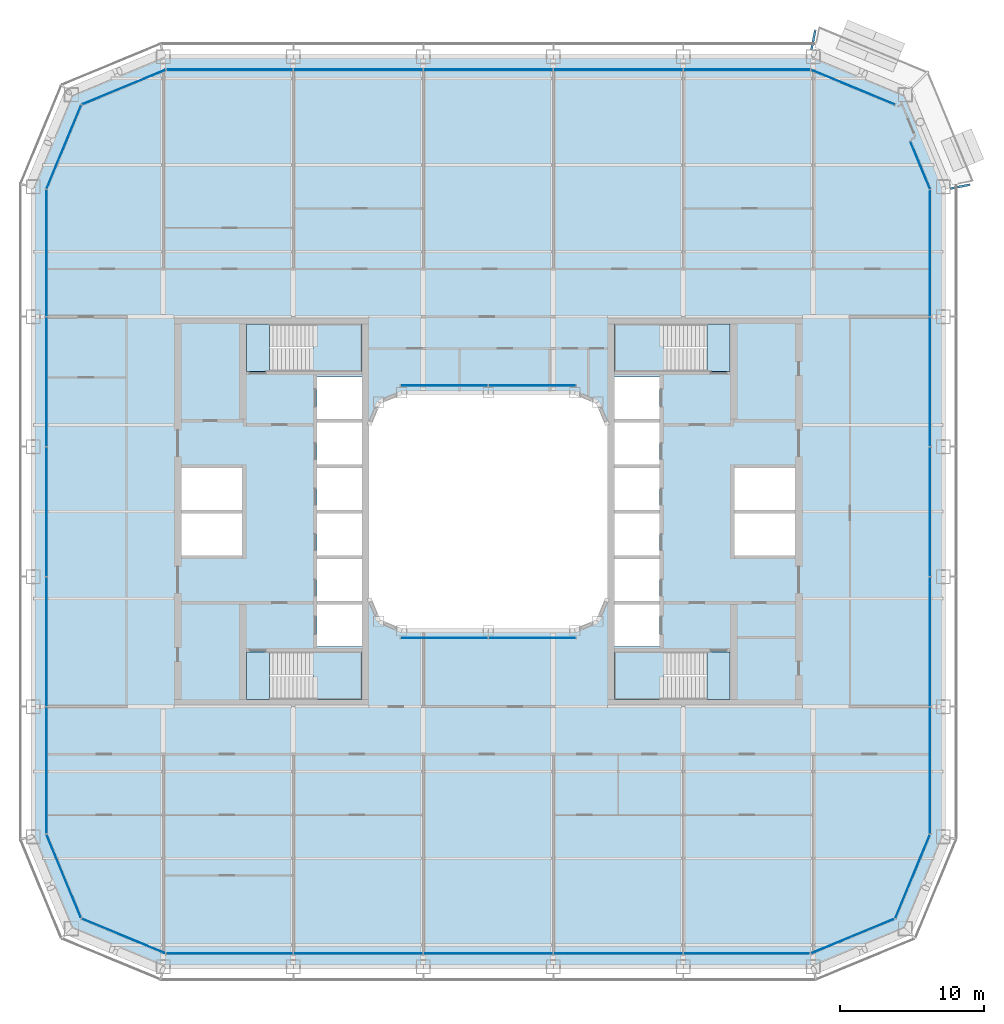
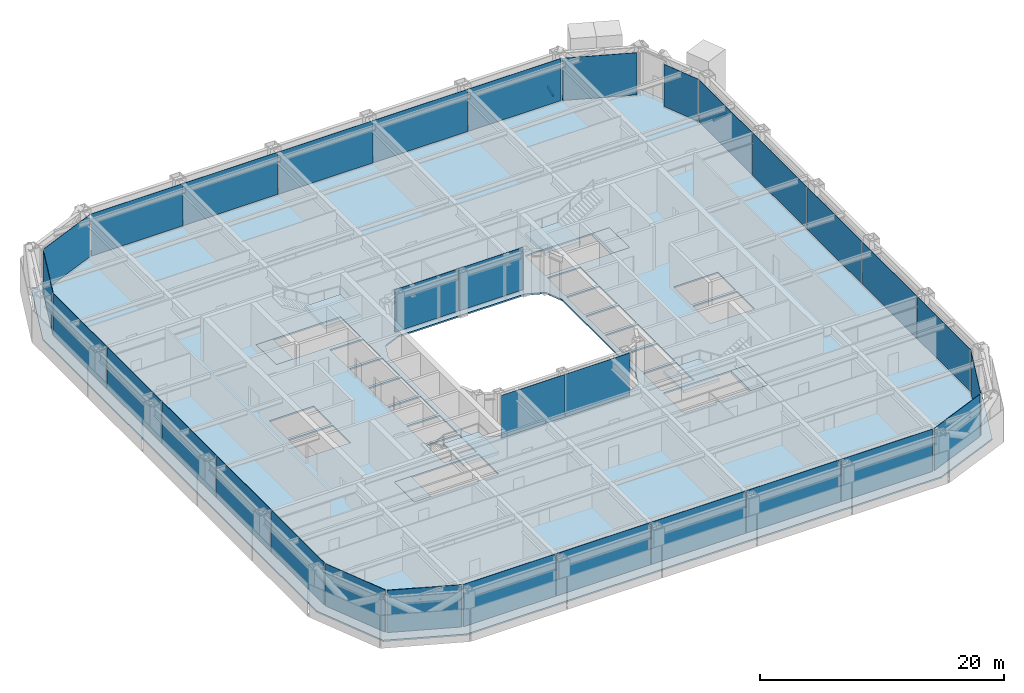
# One storey, part 11 of 30: 32 plates, 9 slabs, 2 beams, 18 elements without a shape of their own.
"""IFC4 building model written with IfcOpenShell, lengths in metres."""

from ifc_helpers import new_model, si_unit, direction, frame, origin, origin_2d, place, context, subcontext, project, spatial, polyline, rectangle, hollow_rectangle, outline, extrude, material, layer, layer_set, material_profile, profile_set, type_object, element, aggregate, save


model = new_model("IFC4")

# Units and contexts
model_context = context("Model", 3, precision=1e-05, world=origin(), true_north=direction((0.0, 1.0)))
body_context = subcontext(model_context, "Body", "Model", "MODEL_VIEW")
ifc_project = project(units=[si_unit("LENGTHUNIT", "METRE"), si_unit("AREAUNIT", "SQUARE_METRE"), si_unit("VOLUMEUNIT", "CUBIC_METRE"), si_unit("PLANEANGLEUNIT", "RADIAN"), si_unit("MASSUNIT", "GRAM", prefix="KILO")], contexts=[model_context])

# Site, building, storey
site_placement = place(None, origin())
site = spatial("IfcSite", under=ifc_project, at=site_placement, CompositionType="ELEMENT")
building_placement = place(site_placement, origin())
building = spatial("IfcBuilding", under=site, at=building_placement, Name="Siwar Civic Tower", CompositionType="ELEMENT")
storey_placement = place(building_placement, frame((0.0, 0.0, 80.699951171875)))
storey = spatial("IfcBuildingStorey", under=building, at=storey_placement, Name="L17", CompositionType="ELEMENT", Elevation=80.699951171875)

# Beams
ifc_material_1 = material(Name="Steel S355", Category="steel")
ifc_material_profile = material_profile(ifc_material_1, hollow_rectangle(XDim=0.14990234375, YDim=0.25, WallThickness=0.010009765625, at=origin_2d()), Name="RHS250x150x10")
ifc_profile_set = profile_set([ifc_material_profile], Name="Steel S355")
beam_type = type_object("IfcBeamType", Name="ENV-BALCONY ARM", PredefinedType="BEAM", material=ifc_profile_set)
for number, where, z_axis, x_axis, name in (
    (1, (32.0, 22.375244140625, -0.27490234375), (0.980807679798, 0.194977678848, 0.0), (-0.194977678848, 0.980807679798, 0.0), "Balcony cantilever beam NE 1"),
    (2, (22.375244140625, 32.0, -0.27490234375), (0.194977678848, 0.980807679798, 0.0), (-0.980807679798, 0.194977678848, 0.0), "Balcony cantilever beam NE 3"),
):
    element("IfcBeam", number, at=place(storey_placement, frame(where, z_axis=z_axis, x_axis=x_axis)), inside=storey, type_object=beam_type, Name=name, PredefinedType="BEAM", context=body_context, shape_type="SweptSolid", body=[
        extrude(hollow_rectangle(XDim=0.14990234375, YDim=0.25, WallThickness=0.010009765625, at=origin_2d()), origin(), (0.0, 0.0, 1.0), 1.361083984375),
    ])

# Stair, slabs
ifc_material_2 = material(Name="Concrete C40/50", Category="concrete")
stair_type = type_object("IfcStairType", Name="CORE-STAIR", PredefinedType="TWO_STRAIGHT_RUN_STAIR", material=ifc_material_2)
stair_1_placement = place(storey_placement, origin())
stair_1 = element("IfcStair", 3, at=stair_1_placement, inside=storey, type_object=stair_type, Name="Exit stair ST1", PredefinedType="TWO_STRAIGHT_RUN_STAIR")
ifc_material_3 = material(Name="Concrete C40/50", Category="concrete")
ifc_layer_1 = layer(ifc_material_3, 0.300048828125)
ifc_layer_set_1 = layer_set([ifc_layer_1], Name="Concrete C40/50")
slab_type_1 = type_object("IfcSlabType", Name="CORE-STAIR-LANDING", PredefinedType="LANDING", material=ifc_layer_set_1)
slab_1_placement = place(storey_placement, frame((0.0, 0.0, -0.300048828125)))
slab_1 = element("IfcSlab", 4, at=slab_1_placement, type_object=slab_type_1, Name="ST1 landing 1", PredefinedType="LANDING", context=body_context, shape_type="SweptSolid", body=[
    extrude(outline(polyline([(-15.14990234375, 13.0), (-16.75, 13.0), (-16.75, 9.699951171875), (-15.14990234375, 9.699951171875), (-15.14990234375, 13.0)])), origin(), (0.0, 0.0, 1.0), 0.300048828125),
])
slab_2_placement = place(storey_placement, frame((0.0, 0.0, 1.949951171875)))
slab_2 = element("IfcSlab", 5, at=slab_2_placement, type_object=slab_type_1, Name="ST1 landing 2", PredefinedType="LANDING", context=body_context, shape_type="SweptSolid", body=[
    extrude(outline(polyline([(-8.75, 13.0), (-12.139892578125, 13.0), (-12.139892578125, 9.699951171875), (-8.75, 9.699951171875), (-8.75, 13.0)])), origin(), (0.0, 0.0, 1.0), 0.300048828125),
])
aggregate(stair_1, [slab_1, slab_2])

stair_2_placement = place(storey_placement, origin())
stair_2 = element("IfcStair", 6, at=stair_2_placement, inside=storey, type_object=stair_type, Name="Exit stair ST2", PredefinedType="TWO_STRAIGHT_RUN_STAIR")
slab_3_placement = place(storey_placement, frame((0.0, 0.0, -0.300048828125)))
slab_3 = element("IfcSlab", 7, at=slab_3_placement, type_object=slab_type_1, Name="ST2 landing 1", PredefinedType="LANDING", context=body_context, shape_type="SweptSolid", body=[
    extrude(outline(polyline([(-15.14990234375, -9.699951171875), (-16.75, -9.699951171875), (-16.75, -13.0), (-15.14990234375, -13.0), (-15.14990234375, -9.699951171875)])), origin(), (0.0, 0.0, 1.0), 0.300048828125),
])
slab_4_placement = place(storey_placement, frame((0.0, 0.0, 1.949951171875)))
slab_4 = element("IfcSlab", 8, at=slab_4_placement, type_object=slab_type_1, Name="ST2 landing 2", PredefinedType="LANDING", context=body_context, shape_type="SweptSolid", body=[
    extrude(outline(polyline([(-8.75, -9.699951171875), (-12.139892578125, -9.699951171875), (-12.139892578125, -13.0), (-8.75, -13.0), (-8.75, -9.699951171875)])), origin(), (0.0, 0.0, 1.0), 0.300048828125),
])
aggregate(stair_2, [slab_3, slab_4])

stair_3_placement = place(storey_placement, origin())
stair_3 = element("IfcStair", 9, at=stair_3_placement, inside=storey, type_object=stair_type, Name="Exit stair ST3", PredefinedType="TWO_STRAIGHT_RUN_STAIR")
slab_5_placement = place(storey_placement, frame((0.0, 0.0, -0.300048828125)))
slab_5 = element("IfcSlab", 10, at=slab_5_placement, type_object=slab_type_1, Name="ST3 landing 1", PredefinedType="LANDING", context=body_context, shape_type="SweptSolid", body=[
    extrude(outline(polyline([(15.14990234375, 9.699951171875), (16.75, 9.699951171875), (16.75, 13.0), (15.14990234375, 13.0), (15.14990234375, 9.699951171875)])), origin(), (0.0, 0.0, 1.0), 0.300048828125),
])
slab_6_placement = place(storey_placement, frame((0.0, 0.0, 1.949951171875)))
slab_6 = element("IfcSlab", 11, at=slab_6_placement, type_object=slab_type_1, Name="ST3 landing 2", PredefinedType="LANDING", context=body_context, shape_type="SweptSolid", body=[
    extrude(outline(polyline([(8.75, 9.699951171875), (12.139892578125, 9.699951171875), (12.139892578125, 13.0), (8.75, 13.0), (8.75, 9.699951171875)])), origin(), (0.0, 0.0, 1.0), 0.300048828125),
])
aggregate(stair_3, [slab_5, slab_6])

stair_4_placement = place(storey_placement, origin())
stair_4 = element("IfcStair", 12, at=stair_4_placement, inside=storey, type_object=stair_type, Name="Exit stair ST4", PredefinedType="TWO_STRAIGHT_RUN_STAIR")
slab_7_placement = place(storey_placement, frame((0.0, 0.0, -0.300048828125)))
slab_7 = element("IfcSlab", 13, at=slab_7_placement, type_object=slab_type_1, Name="ST4 landing 1", PredefinedType="LANDING", context=body_context, shape_type="SweptSolid", body=[
    extrude(outline(polyline([(15.14990234375, -13.0), (16.75, -13.0), (16.75, -9.699951171875), (15.14990234375, -9.699951171875), (15.14990234375, -13.0)])), origin(), (0.0, 0.0, 1.0), 0.300048828125),
])
slab_8_placement = place(storey_placement, frame((0.0, 0.0, 1.949951171875)))
slab_8 = element("IfcSlab", 14, at=slab_8_placement, type_object=slab_type_1, Name="ST4 landing 2", PredefinedType="LANDING", context=body_context, shape_type="SweptSolid", body=[
    extrude(outline(polyline([(8.75, -13.0), (12.139892578125, -13.0), (12.139892578125, -9.699951171875), (8.75, -9.699951171875), (8.75, -13.0)])), origin(), (0.0, 0.0, 1.0), 0.300048828125),
])
aggregate(stair_4, [slab_7, slab_8])

# Curtain wall, plates
ifc_material_4 = material(Name="Aluminium and glass", Category="aluminium")
ifc_layer_2 = layer(ifc_material_4, 0.219970703125)
ifc_layer_set_2 = layer_set([ifc_layer_2], Name="Aluminium and glass")
curtain_wall_type_1 = type_object("IfcCurtainWallType", Name="ENV-CW-A", PredefinedType="NOTDEFINED", material=ifc_layer_set_2)
curtain_wall_1_placement = place(storey_placement, origin())
curtain_wall_1 = element("IfcCurtainWall", 15, at=curtain_wall_1_placement, inside=storey, type_object=curtain_wall_type_1, Name="Curtain wall A S", PredefinedType="NOTDEFINED")
ifc_material_5 = material(Name="Glass clear laminated", Category="glass")
ifc_layer_3 = layer(ifc_material_5, 0.035888671875)
ifc_layer_set_3 = layer_set([ifc_layer_3], Name="Glass clear laminated")
plate_type_1 = type_object("IfcPlateType", Name="ENV-PANEL-A", PredefinedType="CURTAIN_PANEL", material=ifc_layer_set_3)
plate_1_placement = place(storey_placement, frame((-17.910400390625, -30.60009765625, 0.1201171875), z_axis=(0.0, 0.0, 1.0), x_axis=(1.0, 0.0, 0.0)))
plate_1 = element("IfcPlate", 16, at=plate_1_placement, type_object=plate_type_1, Name="Curtain panel A S 1", PredefinedType="CURTAIN_PANEL", context=body_context, shape_type="SweptSolid", body=[
    extrude(rectangle(XDim=8.7509765625, YDim=0.035888671875, at=origin_2d()), origin(), (0.0, 0.0, 1.0), 4.22998046875),
])
plate_2_placement = place(storey_placement, frame((-9.0, -30.60009765625, 0.1201171875), z_axis=(0.0, 0.0, 1.0), x_axis=(1.0, 0.0, 0.0)))
plate_2 = element("IfcPlate", 17, at=plate_2_placement, type_object=plate_type_1, Name="Curtain panel A S 2", PredefinedType="CURTAIN_PANEL", context=body_context, shape_type="SweptSolid", body=[
    extrude(rectangle(XDim=8.929931640625, YDim=0.035888671875, at=origin_2d()), origin(), (0.0, 0.0, 1.0), 4.22998046875),
])
plate_3_placement = place(storey_placement, frame((0.0, -30.60009765625, 0.1201171875), z_axis=(0.0, 0.0, 1.0), x_axis=(1.0, 0.0, 0.0)))
plate_3 = element("IfcPlate", 18, at=plate_3_placement, type_object=plate_type_1, Name="Curtain panel A S 3", PredefinedType="CURTAIN_PANEL", context=body_context, shape_type="SweptSolid", body=[
    extrude(rectangle(XDim=8.929931640625, YDim=0.035888671875, at=origin_2d()), origin(), (0.0, 0.0, 1.0), 4.22998046875),
])
plate_4_placement = place(storey_placement, frame((9.0, -30.60009765625, 0.1201171875), z_axis=(0.0, 0.0, 1.0), x_axis=(1.0, 0.0, 0.0)))
plate_4 = element("IfcPlate", 19, at=plate_4_placement, type_object=plate_type_1, Name="Curtain panel A S 4", PredefinedType="CURTAIN_PANEL", context=body_context, shape_type="SweptSolid", body=[
    extrude(rectangle(XDim=8.929931640625, YDim=0.035888671875, at=origin_2d()), origin(), (0.0, 0.0, 1.0), 4.22998046875),
])
plate_5_placement = place(storey_placement, frame((17.86669921875, -30.60009765625, 0.1201171875), z_axis=(0.0, 0.0, 1.0), x_axis=(1.0, 0.0, 0.0)))
plate_5 = element("IfcPlate", 20, at=plate_5_placement, type_object=plate_type_1, Name="Curtain panel A S 5", PredefinedType="CURTAIN_PANEL", context=body_context, shape_type="SweptSolid", body=[
    extrude(rectangle(XDim=8.663330078125, YDim=0.035888671875, at=origin_2d()), origin(), (0.0, 0.0, 1.0), 4.22998046875),
])
aggregate(curtain_wall_1, [plate_1, plate_2, plate_3, plate_4, plate_5])

curtain_wall_2_placement = place(storey_placement, origin())
curtain_wall_2 = element("IfcCurtainWall", 21, at=curtain_wall_2_placement, inside=storey, type_object=curtain_wall_type_1, Name="Curtain wall A E", PredefinedType="NOTDEFINED")
plate_6_placement = place(storey_placement, frame((30.60009765625, -17.910400390625, 0.1201171875), z_axis=(0.0, 0.0, 1.0), x_axis=(0.0, 1.0, 0.0)))
plate_6 = element("IfcPlate", 22, at=plate_6_placement, type_object=plate_type_1, Name="Curtain panel A E 1", PredefinedType="CURTAIN_PANEL", context=body_context, shape_type="SweptSolid", body=[
    extrude(rectangle(XDim=8.7509765625, YDim=0.035888671875, at=origin_2d()), origin(), (0.0, 0.0, 1.0), 4.22998046875),
])
plate_7_placement = place(storey_placement, frame((30.60009765625, -9.0, 0.1201171875), z_axis=(0.0, 0.0, 1.0), x_axis=(0.0, 1.0, 0.0)))
plate_7 = element("IfcPlate", 23, at=plate_7_placement, type_object=plate_type_1, Name="Curtain panel A E 2", PredefinedType="CURTAIN_PANEL", context=body_context, shape_type="SweptSolid", body=[
    extrude(rectangle(XDim=8.929931640625, YDim=0.035888671875, at=origin_2d()), origin(), (0.0, 0.0, 1.0), 4.22998046875),
])
plate_8_placement = place(storey_placement, frame((30.60009765625, 0.0, 0.1201171875), z_axis=(0.0, 0.0, 1.0), x_axis=(0.0, 1.0, 0.0)))
plate_8 = element("IfcPlate", 24, at=plate_8_placement, type_object=plate_type_1, Name="Curtain panel A E 3", PredefinedType="CURTAIN_PANEL", context=body_context, shape_type="SweptSolid", body=[
    extrude(rectangle(XDim=8.929931640625, YDim=0.035888671875, at=origin_2d()), origin(), (0.0, 0.0, 1.0), 4.22998046875),
])
plate_9_placement = place(storey_placement, frame((30.60009765625, 9.0, 0.1201171875), z_axis=(0.0, 0.0, 1.0), x_axis=(0.0, 1.0, 0.0)))
plate_9 = element("IfcPlate", 25, at=plate_9_placement, type_object=plate_type_1, Name="Curtain panel A E 4", PredefinedType="CURTAIN_PANEL", context=body_context, shape_type="SweptSolid", body=[
    extrude(rectangle(XDim=8.929931640625, YDim=0.035888671875, at=origin_2d()), origin(), (0.0, 0.0, 1.0), 4.22998046875),
])
plate_10_placement = place(storey_placement, frame((30.60009765625, 17.86669921875, 0.1201171875), z_axis=(0.0, 0.0, 1.0), x_axis=(0.0, 1.0, 0.0)))
plate_10 = element("IfcPlate", 26, at=plate_10_placement, type_object=plate_type_1, Name="Curtain panel A E 5", PredefinedType="CURTAIN_PANEL", context=body_context, shape_type="SweptSolid", body=[
    extrude(rectangle(XDim=8.663330078125, YDim=0.035888671875, at=origin_2d()), origin(), (0.0, 0.0, 1.0), 4.22998046875),
])
aggregate(curtain_wall_2, [plate_6, plate_7, plate_8, plate_9, plate_10])

curtain_wall_3_placement = place(storey_placement, origin())
curtain_wall_3 = element("IfcCurtainWall", 27, at=curtain_wall_3_placement, inside=storey, type_object=curtain_wall_type_1, Name="Curtain wall A N", PredefinedType="NOTDEFINED")
plate_11_placement = place(storey_placement, frame((17.910400390625, 30.60009765625, 0.1201171875), z_axis=(0.0, 0.0, 1.0), x_axis=(-1.0, 0.0, 0.0)))
plate_11 = element("IfcPlate", 28, at=plate_11_placement, type_object=plate_type_1, Name="Curtain panel A N 1", PredefinedType="CURTAIN_PANEL", context=body_context, shape_type="SweptSolid", body=[
    extrude(rectangle(XDim=8.7509765625, YDim=0.035888671875, at=origin_2d()), origin(), (0.0, 0.0, 1.0), 4.22998046875),
])
plate_12_placement = place(storey_placement, frame((9.0, 30.60009765625, 0.1201171875), z_axis=(0.0, 0.0, 1.0), x_axis=(-1.0, 0.0, 0.0)))
plate_12 = element("IfcPlate", 29, at=plate_12_placement, type_object=plate_type_1, Name="Curtain panel A N 2", PredefinedType="CURTAIN_PANEL", context=body_context, shape_type="SweptSolid", body=[
    extrude(rectangle(XDim=8.929931640625, YDim=0.035888671875, at=origin_2d()), origin(), (0.0, 0.0, 1.0), 4.22998046875),
])
plate_13_placement = place(storey_placement, frame((0.0, 30.60009765625, 0.1201171875), z_axis=(0.0, 0.0, 1.0), x_axis=(-1.0, 0.0, 0.0)))
plate_13 = element("IfcPlate", 30, at=plate_13_placement, type_object=plate_type_1, Name="Curtain panel A N 3", PredefinedType="CURTAIN_PANEL", context=body_context, shape_type="SweptSolid", body=[
    extrude(rectangle(XDim=8.929931640625, YDim=0.035888671875, at=origin_2d()), origin(), (0.0, 0.0, 1.0), 4.22998046875),
])
plate_14_placement = place(storey_placement, frame((-9.0, 30.60009765625, 0.1201171875), z_axis=(0.0, 0.0, 1.0), x_axis=(-1.0, 0.0, 0.0)))
plate_14 = element("IfcPlate", 31, at=plate_14_placement, type_object=plate_type_1, Name="Curtain panel A N 4", PredefinedType="CURTAIN_PANEL", context=body_context, shape_type="SweptSolid", body=[
    extrude(rectangle(XDim=8.929931640625, YDim=0.035888671875, at=origin_2d()), origin(), (0.0, 0.0, 1.0), 4.22998046875),
])
plate_15_placement = place(storey_placement, frame((-17.86669921875, 30.60009765625, 0.1201171875), z_axis=(0.0, 0.0, 1.0), x_axis=(-1.0, 0.0, 0.0)))
plate_15 = element("IfcPlate", 32, at=plate_15_placement, type_object=plate_type_1, Name="Curtain panel A N 5", PredefinedType="CURTAIN_PANEL", context=body_context, shape_type="SweptSolid", body=[
    extrude(rectangle(XDim=8.663330078125, YDim=0.035888671875, at=origin_2d()), origin(), (0.0, 0.0, 1.0), 4.22998046875),
])
aggregate(curtain_wall_3, [plate_11, plate_12, plate_13, plate_14, plate_15])

curtain_wall_4_placement = place(storey_placement, origin())
curtain_wall_4 = element("IfcCurtainWall", 33, at=curtain_wall_4_placement, inside=storey, type_object=curtain_wall_type_1, Name="Curtain wall A W", PredefinedType="NOTDEFINED")
plate_16_placement = place(storey_placement, frame((-30.60009765625, 17.910400390625, 0.1201171875), z_axis=(0.0, 0.0, 1.0), x_axis=(0.0, -1.0, 0.0)))
plate_16 = element("IfcPlate", 34, at=plate_16_placement, type_object=plate_type_1, Name="Curtain panel A W 1", PredefinedType="CURTAIN_PANEL", context=body_context, shape_type="SweptSolid", body=[
    extrude(rectangle(XDim=8.7509765625, YDim=0.035888671875, at=origin_2d()), origin(), (0.0, 0.0, 1.0), 4.22998046875),
])
plate_17_placement = place(storey_placement, frame((-30.60009765625, 9.0, 0.1201171875), z_axis=(0.0, 0.0, 1.0), x_axis=(0.0, -1.0, 0.0)))
plate_17 = element("IfcPlate", 35, at=plate_17_placement, type_object=plate_type_1, Name="Curtain panel A W 2", PredefinedType="CURTAIN_PANEL", context=body_context, shape_type="SweptSolid", body=[
    extrude(rectangle(XDim=8.929931640625, YDim=0.035888671875, at=origin_2d()), origin(), (0.0, 0.0, 1.0), 4.22998046875),
])
plate_18_placement = place(storey_placement, frame((-30.60009765625, 0.0, 0.1201171875), z_axis=(0.0, 0.0, 1.0), x_axis=(0.0, -1.0, 0.0)))
plate_18 = element("IfcPlate", 36, at=plate_18_placement, type_object=plate_type_1, Name="Curtain panel A W 3", PredefinedType="CURTAIN_PANEL", context=body_context, shape_type="SweptSolid", body=[
    extrude(rectangle(XDim=8.929931640625, YDim=0.035888671875, at=origin_2d()), origin(), (0.0, 0.0, 1.0), 4.22998046875),
])
plate_19_placement = place(storey_placement, frame((-30.60009765625, -9.0, 0.1201171875), z_axis=(0.0, 0.0, 1.0), x_axis=(0.0, -1.0, 0.0)))
plate_19 = element("IfcPlate", 37, at=plate_19_placement, type_object=plate_type_1, Name="Curtain panel A W 4", PredefinedType="CURTAIN_PANEL", context=body_context, shape_type="SweptSolid", body=[
    extrude(rectangle(XDim=8.929931640625, YDim=0.035888671875, at=origin_2d()), origin(), (0.0, 0.0, 1.0), 4.22998046875),
])
plate_20_placement = place(storey_placement, frame((-30.60009765625, -17.86669921875, 0.1201171875), z_axis=(0.0, 0.0, 1.0), x_axis=(0.0, -1.0, 0.0)))
plate_20 = element("IfcPlate", 38, at=plate_20_placement, type_object=plate_type_1, Name="Curtain panel A W 5", PredefinedType="CURTAIN_PANEL", context=body_context, shape_type="SweptSolid", body=[
    extrude(rectangle(XDim=8.663330078125, YDim=0.035888671875, at=origin_2d()), origin(), (0.0, 0.0, 1.0), 4.22998046875),
])
aggregate(curtain_wall_4, [plate_16, plate_17, plate_18, plate_19, plate_20])

# Curtain wall, plate
ifc_material_6 = material(Name="Aluminium clad insulated panel", Category="aluminium")
ifc_layer_4 = layer(ifc_material_6, 0.219970703125)
ifc_layer_set_4 = layer_set([ifc_layer_4], Name="Aluminium clad insulated panel")
curtain_wall_type_2 = type_object("IfcCurtainWallType", Name="ENV-CW-AX", PredefinedType="NOTDEFINED", material=ifc_layer_set_4)
curtain_wall_5_placement = place(storey_placement, origin())
curtain_wall_5 = element("IfcCurtainWall", 39, at=curtain_wall_5_placement, inside=storey, type_object=curtain_wall_type_2, Name="Curtain wall A SE1", PredefinedType="NOTDEFINED")
ifc_material_7 = material(Name="Aluminium clad insulated panel", Category="aluminium")
ifc_layer_5 = layer(ifc_material_7, 0.035888671875)
ifc_layer_set_5 = layer_set([ifc_layer_5], Name="Aluminium clad insulated panel")
plate_type_2 = type_object("IfcPlateType", Name="ENV-PANEL-AX", PredefinedType="CURTAIN_PANEL", material=ifc_layer_set_5)
plate_21_placement = place(storey_placement, frame((25.20751953125, -29.404296875, 0.1201171875), z_axis=(0.0, 0.0, 1.0), x_axis=(0.923879532511, 0.382683432365, 0.0)))
plate_21 = element("IfcPlate", 40, at=plate_21_placement, type_object=plate_type_2, Name="Curtain panel A SE1 1", PredefinedType="CURTAIN_PANEL", context=body_context, shape_type="SweptSolid", body=[
    extrude(rectangle(XDim=6.178955078125, YDim=0.035888671875, at=origin_2d()), origin(), (0.0, 0.0, 1.0), 4.22998046875),
])
aggregate(curtain_wall_5, [plate_21])

curtain_wall_6_placement = place(storey_placement, origin())
curtain_wall_6 = element("IfcCurtainWall", 41, at=curtain_wall_6_placement, inside=storey, type_object=curtain_wall_type_2, Name="Curtain wall A SE2", PredefinedType="NOTDEFINED")
plate_22_placement = place(storey_placement, frame((29.370849609375, -25.28857421875, 0.1201171875), z_axis=(0.0, 0.0, 1.0), x_axis=(0.382683432365, 0.923879532511, 0.0)))
plate_22 = element("IfcPlate", 42, at=plate_22_placement, type_object=plate_type_2, Name="Curtain panel A SE2 1", PredefinedType="CURTAIN_PANEL", context=body_context, shape_type="SweptSolid", body=[
    extrude(rectangle(XDim=6.178955078125, YDim=0.035888671875, at=origin_2d()), origin(), (0.0, 0.0, 1.0), 4.22998046875),
])
aggregate(curtain_wall_6, [plate_22])

curtain_wall_7_placement = place(storey_placement, origin())
curtain_wall_7 = element("IfcCurtainWall", 43, at=curtain_wall_7_placement, inside=storey, type_object=curtain_wall_type_2, Name="Curtain wall A NE1", PredefinedType="NOTDEFINED")
plate_23_placement = place(storey_placement, frame((29.90966796875, 23.9873046875, 0.1201171875), z_axis=(0.0, 0.0, 1.0), x_axis=(-0.382683432365, 0.923879532511, 0.0)))
plate_23 = element("IfcPlate", 44, at=plate_23_placement, type_object=plate_type_2, Name="Curtain panel A NE1 1", PredefinedType="CURTAIN_PANEL", context=body_context, shape_type="SweptSolid", body=[
    extrude(rectangle(XDim=3.537353515625, YDim=0.035888671875, at=origin_2d()), origin(), (0.0, 0.0, 1.0), 4.22998046875),
])
aggregate(curtain_wall_7, [plate_23])

curtain_wall_8_placement = place(storey_placement, origin())
curtain_wall_8 = element("IfcCurtainWall", 45, at=curtain_wall_8_placement, inside=storey, type_object=curtain_wall_type_2, Name="Curtain wall A NE2", PredefinedType="NOTDEFINED")
plate_24_placement = place(storey_placement, frame((25.28857421875, 29.370849609375, 0.1201171875), z_axis=(0.0, 0.0, 1.0), x_axis=(-0.923879532511, 0.382683432365, 0.0)))
plate_24 = element("IfcPlate", 46, at=plate_24_placement, type_object=plate_type_2, Name="Curtain panel A NE2 1", PredefinedType="CURTAIN_PANEL", context=body_context, shape_type="SweptSolid", body=[
    extrude(rectangle(XDim=6.178955078125, YDim=0.035888671875, at=origin_2d()), origin(), (0.0, 0.0, 1.0), 4.22998046875),
])
aggregate(curtain_wall_8, [plate_24])

curtain_wall_9_placement = place(storey_placement, origin())
curtain_wall_9 = element("IfcCurtainWall", 47, at=curtain_wall_9_placement, inside=storey, type_object=curtain_wall_type_2, Name="Curtain wall A NW1", PredefinedType="NOTDEFINED")
plate_25_placement = place(storey_placement, frame((-25.20751953125, 29.404296875, 0.1201171875), z_axis=(0.0, 0.0, 1.0), x_axis=(-0.923879532511, -0.382683432365, 0.0)))
plate_25 = element("IfcPlate", 48, at=plate_25_placement, type_object=plate_type_2, Name="Curtain panel A NW1 1", PredefinedType="CURTAIN_PANEL", context=body_context, shape_type="SweptSolid", body=[
    extrude(rectangle(XDim=6.178955078125, YDim=0.035888671875, at=origin_2d()), origin(), (0.0, 0.0, 1.0), 4.22998046875),
])
aggregate(curtain_wall_9, [plate_25])

curtain_wall_10_placement = place(storey_placement, origin())
curtain_wall_10 = element("IfcCurtainWall", 49, at=curtain_wall_10_placement, inside=storey, type_object=curtain_wall_type_2, Name="Curtain wall A NW2", PredefinedType="NOTDEFINED")
plate_26_placement = place(storey_placement, frame((-29.370849609375, 25.28857421875, 0.1201171875), z_axis=(0.0, 0.0, 1.0), x_axis=(-0.382683432365, -0.923879532511, 0.0)))
plate_26 = element("IfcPlate", 50, at=plate_26_placement, type_object=plate_type_2, Name="Curtain panel A NW2 1", PredefinedType="CURTAIN_PANEL", context=body_context, shape_type="SweptSolid", body=[
    extrude(rectangle(XDim=6.178955078125, YDim=0.035888671875, at=origin_2d()), origin(), (0.0, 0.0, 1.0), 4.22998046875),
])
aggregate(curtain_wall_10, [plate_26])

curtain_wall_11_placement = place(storey_placement, origin())
curtain_wall_11 = element("IfcCurtainWall", 51, at=curtain_wall_11_placement, inside=storey, type_object=curtain_wall_type_2, Name="Curtain wall A SW1", PredefinedType="NOTDEFINED")
plate_27_placement = place(storey_placement, frame((-29.404296875, -25.20751953125, 0.1201171875), z_axis=(0.0, 0.0, 1.0), x_axis=(0.382683432365, -0.923879532511, 0.0)))
plate_27 = element("IfcPlate", 52, at=plate_27_placement, type_object=plate_type_2, Name="Curtain panel A SW1 1", PredefinedType="CURTAIN_PANEL", context=body_context, shape_type="SweptSolid", body=[
    extrude(rectangle(XDim=6.178955078125, YDim=0.035888671875, at=origin_2d()), origin(), (0.0, 0.0, 1.0), 4.22998046875),
])
aggregate(curtain_wall_11, [plate_27])

curtain_wall_12_placement = place(storey_placement, origin())
curtain_wall_12 = element("IfcCurtainWall", 53, at=curtain_wall_12_placement, inside=storey, type_object=curtain_wall_type_2, Name="Curtain wall A SW2", PredefinedType="NOTDEFINED")
plate_28_placement = place(storey_placement, frame((-25.28857421875, -29.370849609375, 0.1201171875), z_axis=(0.0, 0.0, 1.0), x_axis=(0.923879532511, -0.382683432365, 0.0)))
plate_28 = element("IfcPlate", 54, at=plate_28_placement, type_object=plate_type_2, Name="Curtain panel A SW2 1", PredefinedType="CURTAIN_PANEL", context=body_context, shape_type="SweptSolid", body=[
    extrude(rectangle(XDim=6.178955078125, YDim=0.035888671875, at=origin_2d()), origin(), (0.0, 0.0, 1.0), 4.22998046875),
])
aggregate(curtain_wall_12, [plate_28])

# Curtain wall, plates
ifc_material_8 = material(Name="Aluminium and glass", Category="aluminium")
ifc_layer_6 = layer(ifc_material_8, 0.179931640625)
ifc_layer_set_6 = layer_set([ifc_layer_6], Name="Aluminium and glass")
curtain_wall_type_3 = type_object("IfcCurtainWallType", Name="ENV-CW-W", PredefinedType="NOTDEFINED", material=ifc_layer_set_6)
curtain_wall_13_placement = place(storey_placement, origin())
curtain_wall_13 = element("IfcCurtainWall", 55, at=curtain_wall_13_placement, inside=storey, type_object=curtain_wall_type_3, Name="Curtain wall W WS", PredefinedType="NOTDEFINED")
ifc_material_9 = material(Name="Glass clear laminated", Category="glass")
ifc_layer_7 = layer(ifc_material_9, 0.031982421875)
ifc_layer_set_7 = layer_set([ifc_layer_7], Name="Glass clear laminated")
plate_type_3 = type_object("IfcPlateType", Name="ENV-PANEL-W", PredefinedType="CURTAIN_PANEL", material=ifc_layer_set_7)
plate_29_placement = place(storey_placement, frame((-3.04833984375, -8.735107421875, 0.10009765625), z_axis=(0.0, 0.0, 1.0), x_axis=(1.0, 0.0, 0.0)))
plate_29 = element("IfcPlate", 56, at=plate_29_placement, type_object=plate_type_3, Name="Curtain panel W WS 1", PredefinedType="CURTAIN_PANEL", context=body_context, shape_type="SweptSolid", body=[
    extrude(rectangle(XDim=6.036376953125, YDim=0.031982421875, at=origin_2d()), origin(), (0.0, 0.0, 1.0), 4.25),
])
plate_30_placement = place(storey_placement, frame((3.04833984375, -8.735107421875, 0.10009765625), z_axis=(0.0, 0.0, 1.0), x_axis=(1.0, 0.0, 0.0)))
plate_30 = element("IfcPlate", 57, at=plate_30_placement, type_object=plate_type_3, Name="Curtain panel W WS 2", PredefinedType="CURTAIN_PANEL", context=body_context, shape_type="SweptSolid", body=[
    extrude(rectangle(XDim=6.036376953125, YDim=0.031982421875, at=origin_2d()), origin(), (0.0, 0.0, 1.0), 4.25),
])
aggregate(curtain_wall_13, [plate_29, plate_30])

curtain_wall_14_placement = place(storey_placement, origin())
curtain_wall_14 = element("IfcCurtainWall", 58, at=curtain_wall_14_placement, inside=storey, type_object=curtain_wall_type_3, Name="Curtain wall W WN", PredefinedType="NOTDEFINED")
plate_31_placement = place(storey_placement, frame((3.04833984375, 8.735107421875, 0.10009765625), z_axis=(0.0, 0.0, 1.0), x_axis=(-1.0, 0.0, 0.0)))
plate_31 = element("IfcPlate", 59, at=plate_31_placement, type_object=plate_type_3, Name="Curtain panel W WN 1", PredefinedType="CURTAIN_PANEL", context=body_context, shape_type="SweptSolid", body=[
    extrude(rectangle(XDim=6.036376953125, YDim=0.031982421875, at=origin_2d()), origin(), (0.0, 0.0, 1.0), 4.25),
])
plate_32_placement = place(storey_placement, frame((-3.04833984375, 8.735107421875, 0.10009765625), z_axis=(0.0, 0.0, 1.0), x_axis=(-1.0, 0.0, 0.0)))
plate_32 = element("IfcPlate", 60, at=plate_32_placement, type_object=plate_type_3, Name="Curtain panel W WN 2", PredefinedType="CURTAIN_PANEL", context=body_context, shape_type="SweptSolid", body=[
    extrude(rectangle(XDim=6.036376953125, YDim=0.031982421875, at=origin_2d()), origin(), (0.0, 0.0, 1.0), 4.25),
])
aggregate(curtain_wall_14, [plate_31, plate_32])

# Slab
ifc_material_10 = material(Name="Concrete C40/50", Category="concrete")
ifc_layer_8 = layer(ifc_material_10, 0.14990234375)
ifc_layer_set_8 = layer_set([ifc_layer_8], Name="Concrete C40/50")
slab_type_2 = type_object("IfcSlabType", Name="STR-FLOOR-DECK-150", PredefinedType="FLOOR", material=ifc_layer_set_8)
slab_9_placement = place(storey_placement, frame((0.0, 0.0, -0.14990234375)))
element("IfcSlab", 61, at=slab_9_placement, inside=storey, type_object=slab_type_2, Name="L17/slab/1", PredefinedType="FLOOR", context=body_context, shape_type="SweptSolid", body=[
    extrude(outline(polyline([(-22.5, -31.5), (22.5, -31.5), (28.864013671875, -28.864013671875), (31.5, -22.5), (31.5, 22.5), (28.864013671875, 28.864013671875), (22.5, 31.5), (-22.5, 31.5), (-28.864013671875, 28.864013671875), (-31.5, 22.5), (-31.5, -22.5), (-28.864013671875, -28.864013671875), (-22.5, -31.5)]), holes=[polyline([(21.25, 3.02490234375), (21.25, 0.125), (17.050048828125, 0.125), (17.050048828125, 3.02490234375), (21.25, 3.02490234375)]), polyline([(17.050048828125, -0.125), (21.25, -0.125), (21.25, -3.02490234375), (17.050048828125, -3.02490234375), (17.050048828125, -0.125)]), polyline([(16.75, 13.0), (16.75, 9.699951171875), (8.75, 9.699951171875), (8.75, 13.0), (16.75, 13.0)]), polyline([(8.75, -9.699951171875), (16.75, -9.699951171875), (16.75, -13.0), (8.75, -13.0), (8.75, -9.699951171875)]), polyline([(11.85009765625, 9.324951171875), (11.85009765625, 6.425048828125), (8.75, 6.425048828125), (8.75, 9.324951171875), (11.85009765625, 9.324951171875)]), polyline([(11.85009765625, 3.02490234375), (11.85009765625, 0.125), (8.75, 0.125), (8.75, 3.02490234375), (11.85009765625, 3.02490234375)]), polyline([(11.85009765625, -0.125), (11.85009765625, -3.02490234375), (8.75, -3.02490234375), (8.75, -0.125), (11.85009765625, -0.125)]), polyline([(11.85009765625, -3.27490234375), (11.85009765625, -6.175048828125), (8.75, -6.175048828125), (8.75, -3.27490234375), (11.85009765625, -3.27490234375)]), polyline([(8.75, 6.175048828125), (11.85009765625, 6.175048828125), (11.85009765625, 3.27490234375), (8.75, 3.27490234375), (8.75, 6.175048828125)]), polyline([(8.75, -6.425048828125), (11.85009765625, -6.425048828125), (11.85009765625, -9.324951171875), (8.75, -9.324951171875), (8.75, -6.425048828125)]), polyline([(-6.0, 8.25), (6.0, 8.25), (7.591064453125, 7.591064453125), (8.25, 6.0), (8.25, -6.0), (7.591064453125, -7.591064453125), (6.0, -8.25), (-6.0, -8.25), (-7.591064453125, -7.591064453125), (-8.25, -6.0), (-8.25, 6.0), (-7.591064453125, 7.591064453125), (-6.0, 8.25)]), polyline([(-8.75, 9.699951171875), (-16.75, 9.699951171875), (-16.75, 13.0), (-8.75, 13.0), (-8.75, 9.699951171875)]), polyline([(-8.75, 0.125), (-11.85009765625, 0.125), (-11.85009765625, 3.02490234375), (-8.75, 3.02490234375), (-8.75, 0.125)]), polyline([(-8.75, -6.175048828125), (-11.85009765625, -6.175048828125), (-11.85009765625, -3.27490234375), (-8.75, -3.27490234375), (-8.75, -6.175048828125)]), polyline([(-8.75, -9.324951171875), (-11.85009765625, -9.324951171875), (-11.85009765625, -6.425048828125), (-8.75, -6.425048828125), (-8.75, -9.324951171875)]), polyline([(-8.75, -13.0), (-16.75, -13.0), (-16.75, -9.699951171875), (-8.75, -9.699951171875), (-8.75, -13.0)]), polyline([(-11.85009765625, 6.425048828125), (-11.85009765625, 9.324951171875), (-8.75, 9.324951171875), (-8.75, 6.425048828125), (-11.85009765625, 6.425048828125)]), polyline([(-11.85009765625, 3.27490234375), (-11.85009765625, 6.175048828125), (-8.75, 6.175048828125), (-8.75, 3.27490234375), (-11.85009765625, 3.27490234375)]), polyline([(-11.85009765625, -3.02490234375), (-11.85009765625, -0.125), (-8.75, -0.125), (-8.75, -3.02490234375), (-11.85009765625, -3.02490234375)]), polyline([(-21.25, -3.02490234375), (-21.25, -0.125), (-17.050048828125, -0.125), (-17.050048828125, -3.02490234375), (-21.25, -3.02490234375)]), polyline([(-17.050048828125, 0.125), (-21.25, 0.125), (-21.25, 3.02490234375), (-17.050048828125, 3.02490234375), (-17.050048828125, 0.125)])]), origin(), (0.0, 0.0, 1.0), 0.14990234375),
])

save(model, "model.ifc")
